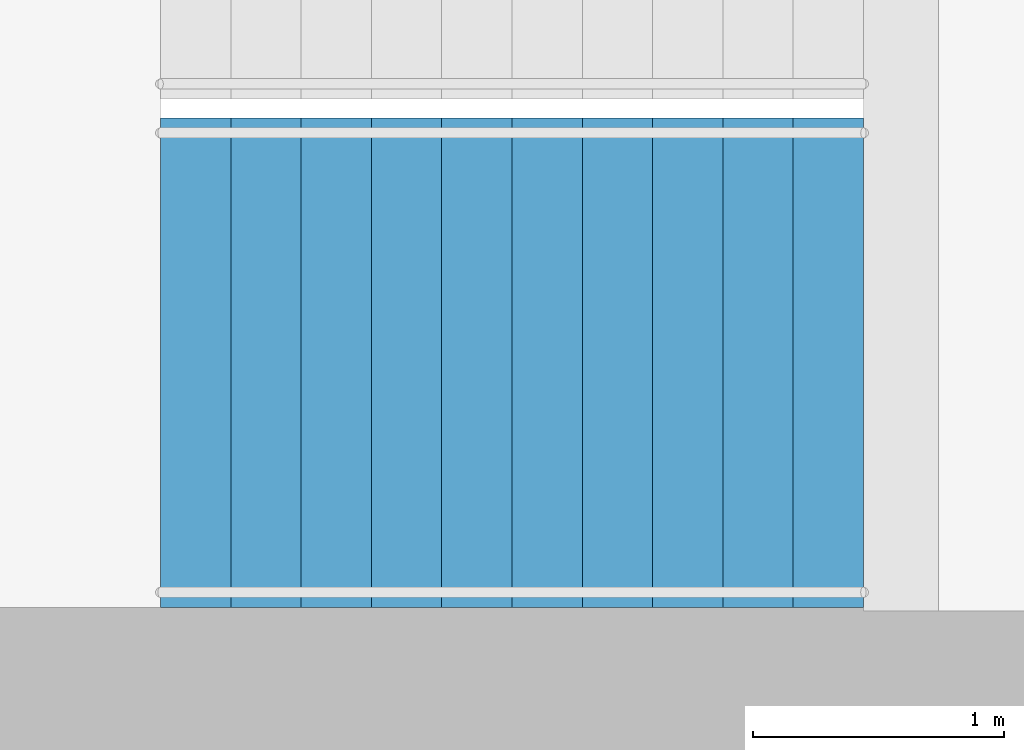
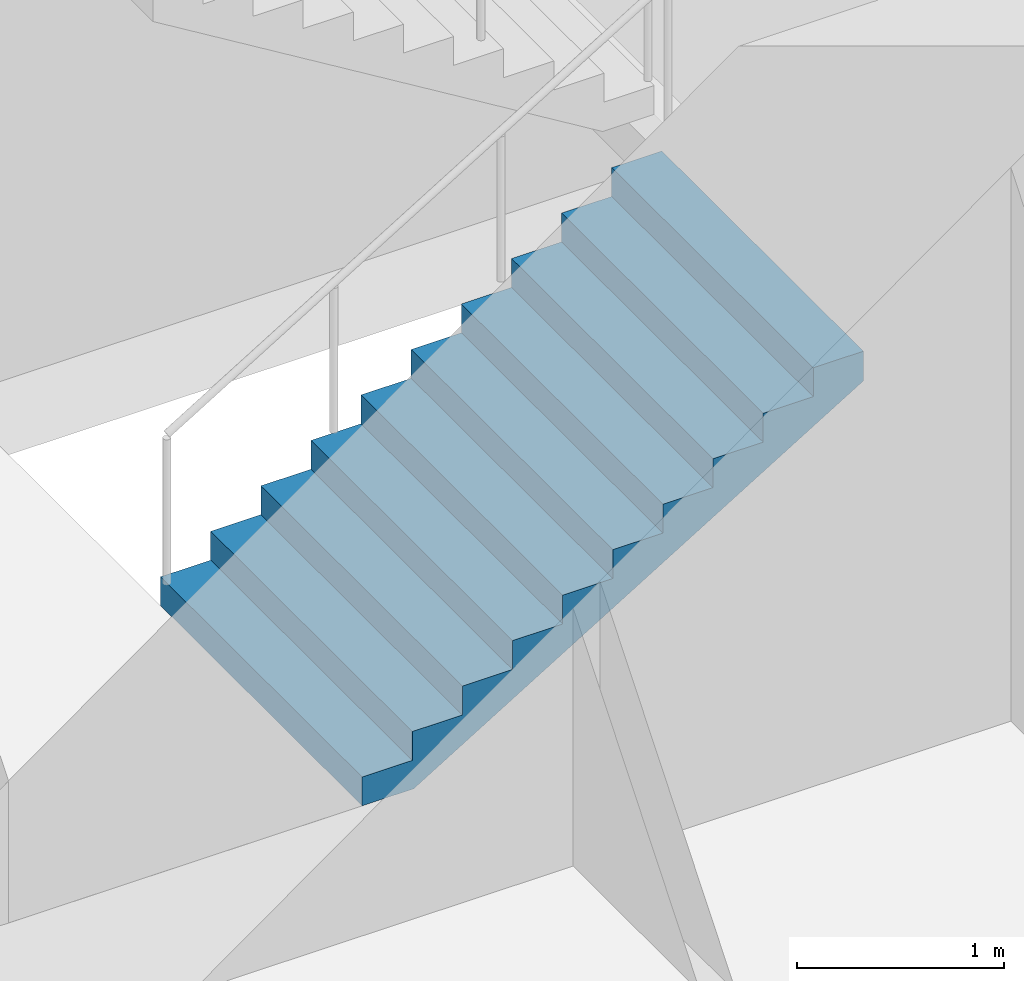
# One storey, part 20 of 26: 1 stair flight, 1 element without a shape of its own.
"""IFC4 building model written with IfcOpenShell, lengths in metres."""

from ifc_helpers import new_model, si_unit, direction, frame, origin, place, context, subcontext, project, spatial, triangles, material, type_object, element, aggregate, save


model = new_model("IFC4")

# Units and contexts
model_context = context("Model", 3, precision=1e-05, world=origin(), true_north=direction((0.0, 1.0)))
body_context = subcontext(model_context, "Body", "Model", "MODEL_VIEW")
ifc_project = project(units=[si_unit("LENGTHUNIT", "METRE"), si_unit("AREAUNIT", "SQUARE_METRE"), si_unit("VOLUMEUNIT", "CUBIC_METRE"), si_unit("PLANEANGLEUNIT", "RADIAN"), si_unit("MASSUNIT", "GRAM", prefix="KILO")], contexts=[model_context])

# Site, building, storey
site_placement = place(None, origin())
site = spatial("IfcSite", under=ifc_project, at=site_placement, CompositionType="ELEMENT")
building_placement = place(site_placement, origin())
building = spatial("IfcBuilding", under=site, at=building_placement, Name="Orbita Commons", CompositionType="ELEMENT")
storey_placement = place(building_placement, frame((0.0, 0.0, 114.39990234375)))
storey = spatial("IfcBuildingStorey", under=building, at=storey_placement, Name="L28", CompositionType="ELEMENT", Elevation=114.39990234375)

# Stair, stair flight
ifc_material_1 = material(Name="Precast concrete C40/50", Category="concrete")
stair_type = type_object("IfcStairType", Name="Exit stair S1 2 flights 11 risers 170", PredefinedType="HALF_TURN_STAIR", material=ifc_material_1)
stair_placement = place(storey_placement, origin())
stair = element("IfcStair", 1, at=stair_placement, inside=storey, type_object=stair_type, Name="Exit stair S1 L28", PredefinedType="HALF_TURN_STAIR")
ifc_material_2 = material(Name="Precast concrete C40/50", Category="concrete")
stair_flight_type = type_object("IfcStairFlightType", Name="Stair flight 11 risers 170 x 280", PredefinedType="STRAIGHT", material=ifc_material_2)
stair_flight_placement = place(storey_placement, frame((20.449951171875, 27.25, 0.0), z_axis=(0.0, 0.0, 1.0), x_axis=(1.0, 0.0, 0.0)))
stair_flight = element("IfcStairFlight", 2, at=stair_flight_placement, type_object=stair_flight_type, Name="S1 flight 1", NumberOfRisers=11, NumberOfTreads=10, PredefinedType="STRAIGHT", RiserHeight=0.170454545, TreadLength=0.28, context=body_context, shape_type="Tessellation", body=[
    triangles([(0.0, 0.974976, 0.0), (0.0, 0.974976, 0.021307), (0.0, 0.81248, 0.021307), (0.0, 0.81248, 0.0), (0.0, 0.649984, 0.021307), (0.0, 0.649984, 0.0), (0.0, 0.487488, 0.021307), (0.0, 0.487488, 0.0), (0.0, 0.324992, 0.021307), (0.0, 0.324992, 0.0), (0.0, 0.162496, 0.021307), (0.0, 0.162496, 0.0), (0.0, 0.0, 0.021307), (0.0, 0.0, 0.0), (0.0, -0.162496, 0.021307), (0.0, -0.162496, 0.0), (0.0, -0.324992, 0.021307), (0.0, -0.324992, 0.0), (0.0, -0.487488, 0.021307), (0.0, -0.487488, 0.0), (0.0, -0.649984, 0.021307), (0.0, -0.649984, 0.0), (0.0, -0.81248, 0.021307), (0.0, -0.81248, 0.0), (0.0, -0.974976, 0.021307), (0.0, -0.974976, 0.0), (0.0, 0.974976, 0.042614), (0.0, 0.81248, 0.042614), (0.0, 0.649984, 0.042614), (0.0, 0.487488, 0.042614), (0.0, 0.324992, 0.042614), (0.0, 0.162496, 0.042614), (0.0, 0.0, 0.042614), (0.0, -0.162496, 0.042614), (0.0, -0.324992, 0.042614), (0.0, -0.487488, 0.042614), (0.0, -0.649984, 0.042614), (0.0, -0.81248, 0.042614), (0.0, -0.974976, 0.042614), (0.0, 0.974976, 0.06392), (0.0, 0.81248, 0.06392), (0.0, 0.649984, 0.06392), (0.0, 0.487488, 0.06392), (0.0, 0.324992, 0.06392), (0.0, 0.162496, 0.06392), (0.0, 0.0, 0.06392), (0.0, -0.162496, 0.06392), (0.0, -0.324992, 0.06392), (0.0, -0.487488, 0.06392), (0.0, -0.649984, 0.06392), (0.0, -0.81248, 0.06392), (0.0, -0.974976, 0.06392), (0.0, 0.974976, 0.085227), (0.0, 0.81248, 0.085227), (0.0, 0.649984, 0.085227), (0.0, 0.487488, 0.085227), (0.0, 0.324992, 0.085227), (0.0, 0.162496, 0.085227), (0.0, 0.0, 0.085227), (0.0, -0.162496, 0.085227), (0.0, -0.324992, 0.085227), (0.0, -0.487488, 0.085227), (0.0, -0.649984, 0.085227), (0.0, -0.81248, 0.085227), (0.0, -0.974976, 0.085227), (0.0, 0.974976, 0.106534), (0.0, 0.81248, 0.106534), (0.0, 0.649984, 0.106534), (0.0, 0.487488, 0.106534), (0.0, 0.324992, 0.106534), (0.0, 0.162496, 0.106534), (0.0, 0.0, 0.106534), (0.0, -0.162496, 0.106534), (0.0, -0.324992, 0.106534), (0.0, -0.487488, 0.106534), (0.0, -0.649984, 0.106534), (0.0, -0.81248, 0.106534), (0.0, -0.974976, 0.106534), (0.0, 0.974976, 0.127841), (0.0, 0.81248, 0.127841), (0.0, 0.649984, 0.127841), (0.0, 0.487488, 0.127841), (0.0, 0.324992, 0.127841), (0.0, 0.162496, 0.127841), (0.0, 0.0, 0.127841), (0.0, -0.162496, 0.127841), (0.0, -0.324992, 0.127841), (0.0, -0.487488, 0.127841), (0.0, -0.649984, 0.127841), (0.0, -0.81248, 0.127841), (0.0, -0.974976, 0.127841), (0.0, 0.974976, 0.149148), (0.0, 0.81248, 0.149148), (0.0, 0.649984, 0.149148), (0.0, 0.487488, 0.149148), (0.0, 0.324992, 0.149148), (0.0, 0.162496, 0.149148), (0.0, 0.0, 0.149148), (0.0, -0.162496, 0.149148), (0.0, -0.324992, 0.149148), (0.0, -0.487488, 0.149148), (0.0, -0.649984, 0.149148), (0.0, -0.81248, 0.149148), (0.0, -0.974976, 0.149148), (0.0, 0.974976, 0.170455), (0.0, 0.81248, 0.170455), (0.0, 0.649984, 0.170455), (0.0, 0.487488, 0.170455), (0.0, 0.324992, 0.170455), (0.0, 0.162496, 0.170455), (0.0, 0.0, 0.170455), (0.0, -0.162496, 0.170455), (0.0, -0.324992, 0.170455), (0.0, -0.487488, 0.170455), (0.0, -0.649984, 0.170455), (0.0, -0.81248, 0.170455), (0.0, -0.974976, 0.170455), (0.28, 0.974976, 0.170455), (0.28, 0.81248, 0.170455), (0.28, 0.649984, 0.170455), (0.28, 0.487488, 0.170455), (0.28, 0.324992, 0.170455), (0.28, 0.162496, 0.170455), (0.28, 0.0, 0.170455), (0.28, -0.162496, 0.170455), (0.28, -0.324992, 0.170455), (0.28, -0.487488, 0.170455), (0.28, -0.649984, 0.170455), (0.28, -0.81248, 0.170455), (0.28, -0.974976, 0.170455), (0.28, 0.974976, 0.340909), (0.28, 0.81248, 0.340909), (0.28, 0.649984, 0.340909), (0.28, 0.487488, 0.340909), (0.28, 0.324992, 0.340909), (0.28, 0.162496, 0.340909), (0.28, 0.0, 0.340909), (0.28, -0.162496, 0.340909), (0.28, -0.324992, 0.340909), (0.28, -0.487488, 0.340909), (0.28, -0.649984, 0.340909), (0.28, -0.81248, 0.340909), (0.28, -0.974976, 0.340909), (0.56, 0.974976, 0.340909), (0.56, 0.81248, 0.340909), (0.56, 0.649984, 0.340909), (0.56, 0.487488, 0.340909), (0.56, 0.324992, 0.340909), (0.56, 0.162496, 0.340909), (0.56, 0.0, 0.340909), (0.56, -0.162496, 0.340909), (0.56, -0.324992, 0.340909), (0.56, -0.487488, 0.340909), (0.56, -0.649984, 0.340909), (0.56, -0.81248, 0.340909), (0.56, -0.974976, 0.340909), (0.56, 0.974976, 0.511364), (0.56, 0.81248, 0.511364), (0.56, 0.649984, 0.511364), (0.56, 0.487488, 0.511364), (0.56, 0.324992, 0.511364), (0.56, 0.162496, 0.511364), (0.56, 0.0, 0.511364), (0.56, -0.162496, 0.511364), (0.56, -0.324992, 0.511364), (0.56, -0.487488, 0.511364), (0.56, -0.649984, 0.511364), (0.56, -0.81248, 0.511364), (0.56, -0.974976, 0.511364), (0.84, 0.974976, 0.511364), (0.84, 0.81248, 0.511364), (0.84, 0.649984, 0.511364), (0.84, 0.487488, 0.511364), (0.84, 0.324992, 0.511364), (0.84, 0.162496, 0.511364), (0.84, 0.0, 0.511364), (0.84, -0.162496, 0.511364), (0.84, -0.324992, 0.511364), (0.84, -0.487488, 0.511364), (0.84, -0.649984, 0.511364), (0.84, -0.81248, 0.511364), (0.84, -0.974976, 0.511364), (0.84, 0.974976, 0.681818), (0.84, 0.81248, 0.681818), (0.84, 0.649984, 0.681818), (0.84, 0.487488, 0.681818), (0.84, 0.324992, 0.681818), (0.84, 0.162496, 0.681818), (0.84, 0.0, 0.681818), (0.84, -0.162496, 0.681818), (0.84, -0.324992, 0.681818), (0.84, -0.487488, 0.681818), (0.84, -0.649984, 0.681818), (0.84, -0.81248, 0.681818), (0.84, -0.974976, 0.681818), (1.12, 0.974976, 0.681818), (1.12, 0.81248, 0.681818), (1.12, 0.649984, 0.681818), (1.12, 0.487488, 0.681818), (1.12, 0.324992, 0.681818), (1.12, 0.162496, 0.681818), (1.12, 0.0, 0.681818), (1.12, -0.162496, 0.681818), (1.12, -0.324992, 0.681818), (1.12, -0.487488, 0.681818), (1.12, -0.649984, 0.681818), (1.12, -0.81248, 0.681818), (1.12, -0.974976, 0.681818), (1.12, 0.974976, 0.852273), (1.12, 0.81248, 0.852273), (1.12, 0.649984, 0.852273), (1.12, 0.487488, 0.852273), (1.12, 0.324992, 0.852273), (1.12, 0.162496, 0.852273), (1.12, 0.0, 0.852273), (1.12, -0.162496, 0.852273), (1.12, -0.324992, 0.852273), (1.12, -0.487488, 0.852273), (1.12, -0.649984, 0.852273), (1.12, -0.81248, 0.852273), (1.12, -0.974976, 0.852273), (1.4, 0.974976, 0.852273), (1.4, 0.81248, 0.852273), (1.4, 0.649984, 0.852273), (1.4, 0.487488, 0.852273), (1.4, 0.324992, 0.852273), (1.4, 0.162496, 0.852273), (1.4, 0.0, 0.852273), (1.4, -0.162496, 0.852273), (1.4, -0.324992, 0.852273), (1.4, -0.487488, 0.852273), (1.4, -0.649984, 0.852273), (1.4, -0.81248, 0.852273), (1.4, -0.974976, 0.852273), (1.4, 0.974976, 1.022727), (1.4, 0.81248, 1.022727), (1.4, 0.649984, 1.022727), (1.4, 0.487488, 1.022727), (1.4, 0.324992, 1.022727), (1.4, 0.162496, 1.022727), (1.4, 0.0, 1.022727), (1.4, -0.162496, 1.022727), (1.4, -0.324992, 1.022727), (1.4, -0.487488, 1.022727), (1.4, -0.649984, 1.022727), (1.4, -0.81248, 1.022727), (1.4, -0.974976, 1.022727), (1.68, 0.974976, 1.022727), (1.68, 0.81248, 1.022727), (1.68, 0.649984, 1.022727), (1.68, 0.487488, 1.022727), (1.68, 0.324992, 1.022727), (1.68, 0.162496, 1.022727), (1.68, 0.0, 1.022727), (1.68, -0.162496, 1.022727), (1.68, -0.324992, 1.022727), (1.68, -0.487488, 1.022727), (1.68, -0.649984, 1.022727), (1.68, -0.81248, 1.022727), (1.68, -0.974976, 1.022727), (1.68, 0.974976, 1.193182), (1.68, 0.81248, 1.193182), (1.68, 0.649984, 1.193182), (1.68, 0.487488, 1.193182), (1.68, 0.324992, 1.193182), (1.68, 0.162496, 1.193182), (1.68, 0.0, 1.193182), (1.68, -0.162496, 1.193182), (1.68, -0.324992, 1.193182), (1.68, -0.487488, 1.193182), (1.68, -0.649984, 1.193182), (1.68, -0.81248, 1.193182), (1.68, -0.974976, 1.193182), (1.96, 0.974976, 1.193182), (1.96, 0.81248, 1.193182), (1.96, 0.649984, 1.193182), (1.96, 0.487488, 1.193182), (1.96, 0.324992, 1.193182), (1.96, 0.162496, 1.193182), (1.96, 0.0, 1.193182), (1.96, -0.162496, 1.193182), (1.96, -0.324992, 1.193182), (1.96, -0.487488, 1.193182), (1.96, -0.649984, 1.193182), (1.96, -0.81248, 1.193182), (1.96, -0.974976, 1.193182), (1.96, 0.974976, 1.363636), (1.96, 0.81248, 1.363636), (1.96, 0.649984, 1.363636), (1.96, 0.487488, 1.363636), (1.96, 0.324992, 1.363636), (1.96, 0.162496, 1.363636), (1.96, 0.0, 1.363636), (1.96, -0.162496, 1.363636), (1.96, -0.324992, 1.363636), (1.96, -0.487488, 1.363636), (1.96, -0.649984, 1.363636), (1.96, -0.81248, 1.363636), (1.96, -0.974976, 1.363636), (2.24, 0.974976, 1.363636), (2.24, 0.81248, 1.363636), (2.24, 0.649984, 1.363636), (2.24, 0.487488, 1.363636), (2.24, 0.324992, 1.363636), (2.24, 0.162496, 1.363636), (2.24, 0.0, 1.363636), (2.24, -0.162496, 1.363636), (2.24, -0.324992, 1.363636), (2.24, -0.487488, 1.363636), (2.24, -0.649984, 1.363636), (2.24, -0.81248, 1.363636), (2.24, -0.974976, 1.363636), (2.24, 0.974976, 1.534091), (2.24, 0.81248, 1.534091), (2.24, 0.649984, 1.534091), (2.24, 0.487488, 1.534091), (2.24, 0.324992, 1.534091), (2.24, 0.162496, 1.534091), (2.24, 0.0, 1.534091), (2.24, -0.162496, 1.534091), (2.24, -0.324992, 1.534091), (2.24, -0.487488, 1.534091), (2.24, -0.649984, 1.534091), (2.24, -0.81248, 1.534091), (2.24, -0.974976, 1.534091), (2.52, 0.974976, 1.534091), (2.52, 0.81248, 1.534091), (2.52, 0.649984, 1.534091), (2.52, 0.487488, 1.534091), (2.52, 0.324992, 1.534091), (2.52, 0.162496, 1.534091), (2.52, 0.0, 1.534091), (2.52, -0.162496, 1.534091), (2.52, -0.324992, 1.534091), (2.52, -0.487488, 1.534091), (2.52, -0.649984, 1.534091), (2.52, -0.81248, 1.534091), (2.52, -0.974976, 1.534091), (2.52, 0.974976, 1.704545), (2.52, 0.81248, 1.704545), (2.52, 0.649984, 1.704545), (2.52, 0.487488, 1.704545), (2.52, 0.324992, 1.704545), (2.52, 0.162496, 1.704545), (2.52, 0.0, 1.704545), (2.52, -0.162496, 1.704545), (2.52, -0.324992, 1.704545), (2.52, -0.487488, 1.704545), (2.52, -0.649984, 1.704545), (2.52, -0.81248, 1.704545), (2.52, -0.974976, 1.704545), (2.8, 0.974976, 1.704545), (2.8, 0.81248, 1.704545), (2.8, 0.649984, 1.704545), (2.8, 0.487488, 1.704545), (2.8, 0.324992, 1.704545), (2.8, 0.162496, 1.704545), (2.8, 0.0, 1.704545), (2.8, -0.162496, 1.704545), (2.8, -0.324992, 1.704545), (2.8, -0.487488, 1.704545), (2.8, -0.649984, 1.704545), (2.8, -0.81248, 1.704545), (2.8, -0.974976, 1.704545), (2.8, 0.974976, 1.682609), (2.8, 0.81248, 1.682609), (2.8, 0.649984, 1.682609), (2.8, 0.487488, 1.682609), (2.8, 0.324992, 1.682609), (2.8, 0.162496, 1.682609), (2.8, 0.0, 1.682609), (2.8, -0.162496, 1.682609), (2.8, -0.324992, 1.682609), (2.8, -0.487488, 1.682609), (2.8, -0.649984, 1.682609), (2.8, -0.81248, 1.682609), (2.8, -0.974976, 1.682609), (2.8, 0.974976, 1.660672), (2.8, 0.81248, 1.660672), (2.8, 0.649984, 1.660672), (2.8, 0.487488, 1.660672), (2.8, 0.324992, 1.660672), (2.8, 0.162496, 1.660672), (2.8, 0.0, 1.660672), (2.8, -0.162496, 1.660672), (2.8, -0.324992, 1.660672), (2.8, -0.487488, 1.660672), (2.8, -0.649984, 1.660672), (2.8, -0.81248, 1.660672), (2.8, -0.974976, 1.660672), (2.8, 0.974976, 1.638735), (2.8, 0.81248, 1.638735), (2.8, 0.649984, 1.638735), (2.8, 0.487488, 1.638735), (2.8, 0.324992, 1.638735), (2.8, 0.162496, 1.638735), (2.8, 0.0, 1.638735), (2.8, -0.162496, 1.638735), (2.8, -0.324992, 1.638735), (2.8, -0.487488, 1.638735), (2.8, -0.649984, 1.638735), (2.8, -0.81248, 1.638735), (2.8, -0.974976, 1.638735), (2.8, 0.974976, 1.616798), (2.8, 0.81248, 1.616798), (2.8, 0.649984, 1.616798), (2.8, 0.487488, 1.616798), (2.8, 0.324992, 1.616798), (2.8, 0.162496, 1.616798), (2.8, 0.0, 1.616798), (2.8, -0.162496, 1.616798), (2.8, -0.324992, 1.616798), (2.8, -0.487488, 1.616798), (2.8, -0.649984, 1.616798), (2.8, -0.81248, 1.616798), (2.8, -0.974976, 1.616798), (2.8, 0.974976, 1.594861), (2.8, 0.81248, 1.594861), (2.8, 0.649984, 1.594861), (2.8, 0.487488, 1.594861), (2.8, 0.324992, 1.594861), (2.8, 0.162496, 1.594861), (2.8, 0.0, 1.594861), (2.8, -0.162496, 1.594861), (2.8, -0.324992, 1.594861), (2.8, -0.487488, 1.594861), (2.8, -0.649984, 1.594861), (2.8, -0.81248, 1.594861), (2.8, -0.974976, 1.594861), (2.8, 0.974976, 1.572925), (2.8, 0.81248, 1.572925), (2.8, 0.649984, 1.572925), (2.8, 0.487488, 1.572925), (2.8, 0.324992, 1.572925), (2.8, 0.162496, 1.572925), (2.8, 0.0, 1.572925), (2.8, -0.162496, 1.572925), (2.8, -0.324992, 1.572925), (2.8, -0.487488, 1.572925), (2.8, -0.649984, 1.572925), (2.8, -0.81248, 1.572925), (2.8, -0.974976, 1.572925), (2.8, 0.974976, 1.550988), (2.8, 0.81248, 1.550988), (2.8, 0.649984, 1.550988), (2.8, 0.487488, 1.550988), (2.8, 0.324992, 1.550988), (2.8, 0.162496, 1.550988), (2.8, 0.0, 1.550988), (2.8, -0.162496, 1.550988), (2.8, -0.324992, 1.550988), (2.8, -0.487488, 1.550988), (2.8, -0.649984, 1.550988), (2.8, -0.81248, 1.550988), (2.8, -0.974976, 1.550988), (2.8, 0.974976, 1.529051), (2.8, 0.81248, 1.529051), (2.8, 0.649984, 1.529051), (2.8, 0.487488, 1.529051), (2.8, 0.324992, 1.529051), (2.8, 0.162496, 1.529051), (2.8, 0.0, 1.529051), (2.8, -0.162496, 1.529051), (2.8, -0.324992, 1.529051), (2.8, -0.487488, 1.529051), (2.8, -0.649984, 1.529051), (2.8, -0.81248, 1.529051), (2.8, -0.974976, 1.529051), (0.288279, 0.974976, 0.0), (0.288279, 0.81248, 0.0), (0.288279, 0.649984, 0.0), (0.288279, 0.487488, 0.0), (0.288279, 0.324992, 0.0), (0.288279, 0.162496, 0.0), (0.288279, 0.0, 0.0), (0.288279, -0.162496, 0.0), (0.288279, -0.324992, 0.0), (0.288279, -0.487488, 0.0), (0.288279, -0.649984, 0.0), (0.288279, -0.81248, 0.0), (0.288279, -0.974976, 0.0)], [[3, 2, 1], [4, 3, 1], [5, 3, 4], [6, 5, 4], [7, 5, 6], [8, 7, 6], [9, 7, 8], [10, 9, 8], [11, 9, 10], [12, 11, 10], [13, 11, 12], [14, 13, 12], [15, 13, 14], [16, 15, 14], [17, 15, 16], [18, 17, 16], [19, 17, 18], [20, 19, 18], [21, 19, 20], [22, 21, 20], [23, 21, 22], [24, 23, 22], [25, 23, 24], [26, 25, 24], [28, 27, 2], [3, 28, 2], [29, 28, 3], [5, 29, 3], [30, 29, 5], [7, 30, 5], [31, 30, 7], [9, 31, 7], [32, 31, 9], [11, 32, 9], [33, 32, 11], [13, 33, 11], [34, 33, 13], [15, 34, 13], [35, 34, 15], [17, 35, 15], [36, 35, 17], [19, 36, 17], [37, 36, 19], [21, 37, 19], [38, 37, 21], [23, 38, 21], [39, 38, 23], [25, 39, 23], [41, 40, 27], [28, 41, 27], [42, 41, 28], [29, 42, 28], [43, 42, 29], [30, 43, 29], [44, 43, 30], [31, 44, 30], [45, 44, 31], [32, 45, 31], [46, 45, 32], [33, 46, 32], [47, 46, 33], [34, 47, 33], [48, 47, 34], [35, 48, 34], [49, 48, 35], [36, 49, 35], [50, 49, 36], [37, 50, 36], [51, 50, 37], [38, 51, 37], [52, 51, 38], [39, 52, 38], [54, 53, 40], [41, 54, 40], [55, 54, 41], [42, 55, 41], [56, 55, 42], [43, 56, 42], [57, 56, 43], [44, 57, 43], [58, 57, 44], [45, 58, 44], [59, 58, 45], [46, 59, 45], [60, 59, 46], [47, 60, 46], [61, 60, 47], [48, 61, 47], [62, 61, 48], [49, 62, 48], [63, 62, 49], [50, 63, 49], [64, 63, 50], [51, 64, 50], [65, 64, 51], [52, 65, 51], [67, 66, 53], [54, 67, 53], [68, 67, 54], [55, 68, 54], [69, 68, 55], [56, 69, 55], [70, 69, 56], [57, 70, 56], [71, 70, 57], [58, 71, 57], [72, 71, 58], [59, 72, 58], [73, 72, 59], [60, 73, 59], [74, 73, 60], [61, 74, 60], [75, 74, 61], [62, 75, 61], [76, 75, 62], [63, 76, 62], [77, 76, 63], [64, 77, 63], [78, 77, 64], [65, 78, 64], [80, 79, 66], [67, 80, 66], [81, 80, 67], [68, 81, 67], [82, 81, 68], [69, 82, 68], [83, 82, 69], [70, 83, 69], [84, 83, 70], [71, 84, 70], [85, 84, 71], [72, 85, 71], [86, 85, 72], [73, 86, 72], [87, 86, 73], [74, 87, 73], [88, 87, 74], [75, 88, 74], [89, 88, 75], [76, 89, 75], [90, 89, 76], [77, 90, 76], [91, 90, 77], [78, 91, 77], [93, 92, 79], [80, 93, 79], [94, 93, 80], [81, 94, 80], [95, 94, 81], [82, 95, 81], [96, 95, 82], [83, 96, 82], [97, 96, 83], [84, 97, 83], [98, 97, 84], [85, 98, 84], [99, 98, 85], [86, 99, 85], [100, 99, 86], [87, 100, 86], [101, 100, 87], [88, 101, 87], [102, 101, 88], [89, 102, 88], [103, 102, 89], [90, 103, 89], [104, 103, 90], [91, 104, 90], [106, 105, 92], [93, 106, 92], [107, 106, 93], [94, 107, 93], [108, 107, 94], [95, 108, 94], [109, 108, 95], [96, 109, 95], [110, 109, 96], [97, 110, 96], [111, 110, 97], [98, 111, 97], [112, 111, 98], [99, 112, 98], [113, 112, 99], [100, 113, 99], [114, 113, 100], [101, 114, 100], [115, 114, 101], [102, 115, 101], [116, 115, 102], [103, 116, 102], [117, 116, 103], [104, 117, 103], [119, 118, 105], [106, 119, 105], [120, 119, 106], [107, 120, 106], [121, 120, 107], [108, 121, 107], [122, 121, 108], [109, 122, 108], [123, 122, 109], [110, 123, 109], [124, 123, 110], [111, 124, 110], [125, 124, 111], [112, 125, 111], [126, 125, 112], [113, 126, 112], [127, 126, 113], [114, 127, 113], [128, 127, 114], [115, 128, 114], [129, 128, 115], [116, 129, 115], [130, 129, 116], [117, 130, 116], [132, 131, 118], [119, 132, 118], [133, 132, 119], [120, 133, 119], [134, 133, 120], [121, 134, 120], [135, 134, 121], [122, 135, 121], [136, 135, 122], [123, 136, 122], [137, 136, 123], [124, 137, 123], [138, 137, 124], [125, 138, 124], [139, 138, 125], [126, 139, 125], [140, 139, 126], [127, 140, 126], [141, 140, 127], [128, 141, 127], [142, 141, 128], [129, 142, 128], [143, 142, 129], [130, 143, 129], [145, 144, 131], [132, 145, 131], [146, 145, 132], [133, 146, 132], [147, 146, 133], [134, 147, 133], [148, 147, 134], [135, 148, 134], [149, 148, 135], [136, 149, 135], [150, 149, 136], [137, 150, 136], [151, 150, 137], [138, 151, 137], [152, 151, 138], [139, 152, 138], [153, 152, 139], [140, 153, 139], [154, 153, 140], [141, 154, 140], [155, 154, 141], [142, 155, 141], [156, 155, 142], [143, 156, 142], [158, 157, 144], [145, 158, 144], [159, 158, 145], [146, 159, 145], [160, 159, 146], [147, 160, 146], [161, 160, 147], [148, 161, 147], [162, 161, 148], [149, 162, 148], [163, 162, 149], [150, 163, 149], [164, 163, 150], [151, 164, 150], [165, 164, 151], [152, 165, 151], [166, 165, 152], [153, 166, 152], [167, 166, 153], [154, 167, 153], [168, 167, 154], [155, 168, 154], [169, 168, 155], [156, 169, 155], [171, 170, 157], [158, 171, 157], [172, 171, 158], [159, 172, 158], [173, 172, 159], [160, 173, 159], [174, 173, 160], [161, 174, 160], [175, 174, 161], [162, 175, 161], [176, 175, 162], [163, 176, 162], [177, 176, 163], [164, 177, 163], [178, 177, 164], [165, 178, 164], [179, 178, 165], [166, 179, 165], [180, 179, 166], [167, 180, 166], [181, 180, 167], [168, 181, 167], [182, 181, 168], [169, 182, 168], [184, 183, 170], [171, 184, 170], [185, 184, 171], [172, 185, 171], [186, 185, 172], [173, 186, 172], [187, 186, 173], [174, 187, 173], [188, 187, 174], [175, 188, 174], [189, 188, 175], [176, 189, 175], [190, 189, 176], [177, 190, 176], [191, 190, 177], [178, 191, 177], [192, 191, 178], [179, 192, 178], [193, 192, 179], [180, 193, 179], [194, 193, 180], [181, 194, 180], [195, 194, 181], [182, 195, 181], [197, 196, 183], [184, 197, 183], [198, 197, 184], [185, 198, 184], [199, 198, 185], [186, 199, 185], [200, 199, 186], [187, 200, 186], [201, 200, 187], [188, 201, 187], [202, 201, 188], [189, 202, 188], [203, 202, 189], [190, 203, 189], [204, 203, 190], [191, 204, 190], [205, 204, 191], [192, 205, 191], [206, 205, 192], [193, 206, 192], [207, 206, 193], [194, 207, 193], [208, 207, 194], [195, 208, 194], [210, 209, 196], [197, 210, 196], [211, 210, 197], [198, 211, 197], [212, 211, 198], [199, 212, 198], [213, 212, 199], [200, 213, 199], [214, 213, 200], [201, 214, 200], [215, 214, 201], [202, 215, 201], [216, 215, 202], [203, 216, 202], [217, 216, 203], [204, 217, 203], [218, 217, 204], [205, 218, 204], [219, 218, 205], [206, 219, 205], [220, 219, 206], [207, 220, 206], [221, 220, 207], [208, 221, 207], [223, 222, 209], [210, 223, 209], [224, 223, 210], [211, 224, 210], [225, 224, 211], [212, 225, 211], [226, 225, 212], [213, 226, 212], [227, 226, 213], [214, 227, 213], [228, 227, 214], [215, 228, 214], [229, 228, 215], [216, 229, 215], [230, 229, 216], [217, 230, 216], [231, 230, 217], [218, 231, 217], [232, 231, 218], [219, 232, 218], [233, 232, 219], [220, 233, 219], [234, 233, 220], [221, 234, 220], [236, 235, 222], [223, 236, 222], [237, 236, 223], [224, 237, 223], [238, 237, 224], [225, 238, 224], [239, 238, 225], [226, 239, 225], [240, 239, 226], [227, 240, 226], [241, 240, 227], [228, 241, 227], [242, 241, 228], [229, 242, 228], [243, 242, 229], [230, 243, 229], [244, 243, 230], [231, 244, 230], [245, 244, 231], [232, 245, 231], [246, 245, 232], [233, 246, 232], [247, 246, 233], [234, 247, 233], [249, 248, 235], [236, 249, 235], [250, 249, 236], [237, 250, 236], [251, 250, 237], [238, 251, 237], [252, 251, 238], [239, 252, 238], [253, 252, 239], [240, 253, 239], [254, 253, 240], [241, 254, 240], [255, 254, 241], [242, 255, 241], [256, 255, 242], [243, 256, 242], [257, 256, 243], [244, 257, 243], [258, 257, 244], [245, 258, 244], [259, 258, 245], [246, 259, 245], [260, 259, 246], [247, 260, 246], [262, 261, 248], [249, 262, 248], [263, 262, 249], [250, 263, 249], [264, 263, 250], [251, 264, 250], [265, 264, 251], [252, 265, 251], [266, 265, 252], [253, 266, 252], [267, 266, 253], [254, 267, 253], [268, 267, 254], [255, 268, 254], [269, 268, 255], [256, 269, 255], [270, 269, 256], [257, 270, 256], [271, 270, 257], [258, 271, 257], [272, 271, 258], [259, 272, 258], [273, 272, 259], [260, 273, 259], [275, 274, 261], [262, 275, 261], [276, 275, 262], [263, 276, 262], [277, 276, 263], [264, 277, 263], [278, 277, 264], [265, 278, 264], [279, 278, 265], [266, 279, 265], [280, 279, 266], [267, 280, 266], [281, 280, 267], [268, 281, 267], [282, 281, 268], [269, 282, 268], [283, 282, 269], [270, 283, 269], [284, 283, 270], [271, 284, 270], [285, 284, 271], [272, 285, 271], [286, 285, 272], [273, 286, 272], [288, 287, 274], [275, 288, 274], [289, 288, 275], [276, 289, 275], [290, 289, 276], [277, 290, 276], [291, 290, 277], [278, 291, 277], [292, 291, 278], [279, 292, 278], [293, 292, 279], [280, 293, 279], [294, 293, 280], [281, 294, 280], [295, 294, 281], [282, 295, 281], [296, 295, 282], [283, 296, 282], [297, 296, 283], [284, 297, 283], [298, 297, 284], [285, 298, 284], [299, 298, 285], [286, 299, 285], [301, 300, 287], [288, 301, 287], [302, 301, 288], [289, 302, 288], [303, 302, 289], [290, 303, 289], [304, 303, 290], [291, 304, 290], [305, 304, 291], [292, 305, 291], [306, 305, 292], [293, 306, 292], [307, 306, 293], [294, 307, 293], [308, 307, 294], [295, 308, 294], [309, 308, 295], [296, 309, 295], [310, 309, 296], [297, 310, 296], [311, 310, 297], [298, 311, 297], [312, 311, 298], [299, 312, 298], [314, 313, 300], [301, 314, 300], [315, 314, 301], [302, 315, 301], [316, 315, 302], [303, 316, 302], [317, 316, 303], [304, 317, 303], [318, 317, 304], [305, 318, 304], [319, 318, 305], [306, 319, 305], [320, 319, 306], [307, 320, 306], [321, 320, 307], [308, 321, 307], [322, 321, 308], [309, 322, 308], [323, 322, 309], [310, 323, 309], [324, 323, 310], [311, 324, 310], [325, 324, 311], [312, 325, 311], [327, 326, 313], [314, 327, 313], [328, 327, 314], [315, 328, 314], [329, 328, 315], [316, 329, 315], [330, 329, 316], [317, 330, 316], [331, 330, 317], [318, 331, 317], [332, 331, 318], [319, 332, 318], [333, 332, 319], [320, 333, 319], [334, 333, 320], [321, 334, 320], [335, 334, 321], [322, 335, 321], [336, 335, 322], [323, 336, 322], [337, 336, 323], [324, 337, 323], [338, 337, 324], [325, 338, 324], [340, 339, 326], [327, 340, 326], [341, 340, 327], [328, 341, 327], [342, 341, 328], [329, 342, 328], [343, 342, 329], [330, 343, 329], [344, 343, 330], [331, 344, 330], [345, 344, 331], [332, 345, 331], [346, 345, 332], [333, 346, 332], [347, 346, 333], [334, 347, 333], [348, 347, 334], [335, 348, 334], [349, 348, 335], [336, 349, 335], [350, 349, 336], [337, 350, 336], [351, 350, 337], [338, 351, 337], [353, 352, 339], [340, 353, 339], [354, 353, 340], [341, 354, 340], [355, 354, 341], [342, 355, 341], [356, 355, 342], [343, 356, 342], [357, 356, 343], [344, 357, 343], [358, 357, 344], [345, 358, 344], [359, 358, 345], [346, 359, 345], [360, 359, 346], [347, 360, 346], [361, 360, 347], [348, 361, 347], [362, 361, 348], [349, 362, 348], [363, 362, 349], [350, 363, 349], [364, 363, 350], [351, 364, 350], [366, 365, 352], [353, 366, 352], [367, 366, 353], [354, 367, 353], [368, 367, 354], [355, 368, 354], [369, 368, 355], [356, 369, 355], [370, 369, 356], [357, 370, 356], [371, 370, 357], [358, 371, 357], [372, 371, 358], [359, 372, 358], [373, 372, 359], [360, 373, 359], [374, 373, 360], [361, 374, 360], [375, 374, 361], [362, 375, 361], [376, 375, 362], [363, 376, 362], [377, 376, 363], [364, 377, 363], [379, 378, 365], [366, 379, 365], [380, 379, 366], [367, 380, 366], [381, 380, 367], [368, 381, 367], [382, 381, 368], [369, 382, 368], [383, 382, 369], [370, 383, 369], [384, 383, 370], [371, 384, 370], [385, 384, 371], [372, 385, 371], [386, 385, 372], [373, 386, 372], [387, 386, 373], [374, 387, 373], [388, 387, 374], [375, 388, 374], [389, 388, 375], [376, 389, 375], [390, 389, 376], [377, 390, 376], [392, 391, 378], [379, 392, 378], [393, 392, 379], [380, 393, 379], [394, 393, 380], [381, 394, 380], [395, 394, 381], [382, 395, 381], [396, 395, 382], [383, 396, 382], [397, 396, 383], [384, 397, 383], [398, 397, 384], [385, 398, 384], [399, 398, 385], [386, 399, 385], [400, 399, 386], [387, 400, 386], [401, 400, 387], [388, 401, 387], [402, 401, 388], [389, 402, 388], [403, 402, 389], [390, 403, 389], [405, 404, 391], [392, 405, 391], [406, 405, 392], [393, 406, 392], [407, 406, 393], [394, 407, 393], [408, 407, 394], [395, 408, 394], [409, 408, 395], [396, 409, 395], [410, 409, 396], [397, 410, 396], [411, 410, 397], [398, 411, 397], [412, 411, 398], [399, 412, 398], [413, 412, 399], [400, 413, 399], [414, 413, 400], [401, 414, 400], [415, 414, 401], [402, 415, 401], [416, 415, 402], [403, 416, 402], [418, 417, 404], [405, 418, 404], [419, 418, 405], [406, 419, 405], [420, 419, 406], [407, 420, 406], [421, 420, 407], [408, 421, 407], [422, 421, 408], [409, 422, 408], [423, 422, 409], [410, 423, 409], [424, 423, 410], [411, 424, 410], [425, 424, 411], [412, 425, 411], [426, 425, 412], [413, 426, 412], [427, 426, 413], [414, 427, 413], [428, 427, 414], [415, 428, 414], [429, 428, 415], [416, 429, 415], [431, 430, 417], [418, 431, 417], [432, 431, 418], [419, 432, 418], [433, 432, 419], [420, 433, 419], [434, 433, 420], [421, 434, 420], [435, 434, 421], [422, 435, 421], [436, 435, 422], [423, 436, 422], [437, 436, 423], [424, 437, 423], [438, 437, 424], [425, 438, 424], [439, 438, 425], [426, 439, 425], [440, 439, 426], [427, 440, 426], [441, 440, 427], [428, 441, 427], [442, 441, 428], [429, 442, 428], [444, 443, 430], [431, 444, 430], [445, 444, 431], [432, 445, 431], [446, 445, 432], [433, 446, 432], [447, 446, 433], [434, 447, 433], [448, 447, 434], [435, 448, 434], [449, 448, 435], [436, 449, 435], [450, 449, 436], [437, 450, 436], [451, 450, 437], [438, 451, 437], [452, 451, 438], [439, 452, 438], [453, 452, 439], [440, 453, 439], [454, 453, 440], [441, 454, 440], [455, 454, 441], [442, 455, 441], [457, 456, 443], [444, 457, 443], [458, 457, 444], [445, 458, 444], [459, 458, 445], [446, 459, 445], [460, 459, 446], [447, 460, 446], [461, 460, 447], [448, 461, 447], [462, 461, 448], [449, 462, 448], [463, 462, 449], [450, 463, 449], [464, 463, 450], [451, 464, 450], [465, 464, 451], [452, 465, 451], [466, 465, 452], [453, 466, 452], [467, 466, 453], [454, 467, 453], [468, 467, 454], [455, 468, 454], [470, 469, 456], [457, 470, 456], [471, 470, 457], [458, 471, 457], [472, 471, 458], [459, 472, 458], [473, 472, 459], [460, 473, 459], [474, 473, 460], [461, 474, 460], [475, 474, 461], [462, 475, 461], [476, 475, 462], [463, 476, 462], [477, 476, 463], [464, 477, 463], [478, 477, 464], [465, 478, 464], [479, 478, 465], [466, 479, 465], [480, 479, 466], [467, 480, 466], [481, 480, 467], [468, 481, 467], [4, 1, 469], [470, 4, 469], [6, 4, 470], [471, 6, 470], [8, 6, 471], [472, 8, 471], [10, 8, 472], [473, 10, 472], [12, 10, 473], [474, 12, 473], [14, 12, 474], [475, 14, 474], [16, 14, 475], [476, 16, 475], [18, 16, 476], [477, 18, 476], [20, 18, 477], [478, 20, 477], [22, 20, 478], [479, 22, 478], [24, 22, 479], [480, 24, 479], [26, 24, 480], [481, 26, 480], [456, 469, 1], [26, 481, 468], [443, 456, 1], [26, 468, 455], [430, 443, 1], [26, 455, 442], [417, 430, 1], [26, 442, 429], [404, 417, 1], [26, 429, 416], [391, 404, 1], [26, 416, 403], [378, 391, 1], [26, 403, 390], [365, 378, 1], [26, 390, 377], [339, 352, 365], [377, 364, 351], [326, 339, 365], [377, 351, 338], [300, 313, 326], [338, 325, 312], [300, 326, 365], [377, 338, 312], [274, 287, 300], [312, 299, 286], [274, 300, 365], [377, 312, 286], [248, 261, 274], [286, 273, 260], [248, 274, 365], [377, 286, 260], [222, 235, 248], [260, 247, 234], [222, 248, 365], [377, 260, 234], [196, 209, 222], [234, 221, 208], [196, 222, 365], [377, 234, 208], [170, 183, 196], [208, 195, 182], [170, 196, 365], [377, 208, 182], [144, 157, 170], [182, 169, 156], [144, 170, 365], [377, 182, 156], [118, 131, 144], [156, 143, 130], [118, 144, 365], [377, 156, 130], [118, 365, 1], [26, 377, 130], [92, 105, 118], [130, 117, 104], [79, 92, 118], [130, 104, 91], [66, 79, 118], [130, 91, 78], [53, 66, 118], [130, 78, 65], [40, 53, 118], [130, 65, 52], [27, 40, 118], [130, 52, 39], [2, 27, 118], [130, 39, 25], [1, 2, 118], [130, 25, 26]], closed=True),
])
aggregate(stair, [stair_flight])

save(model, "model.ifc")
